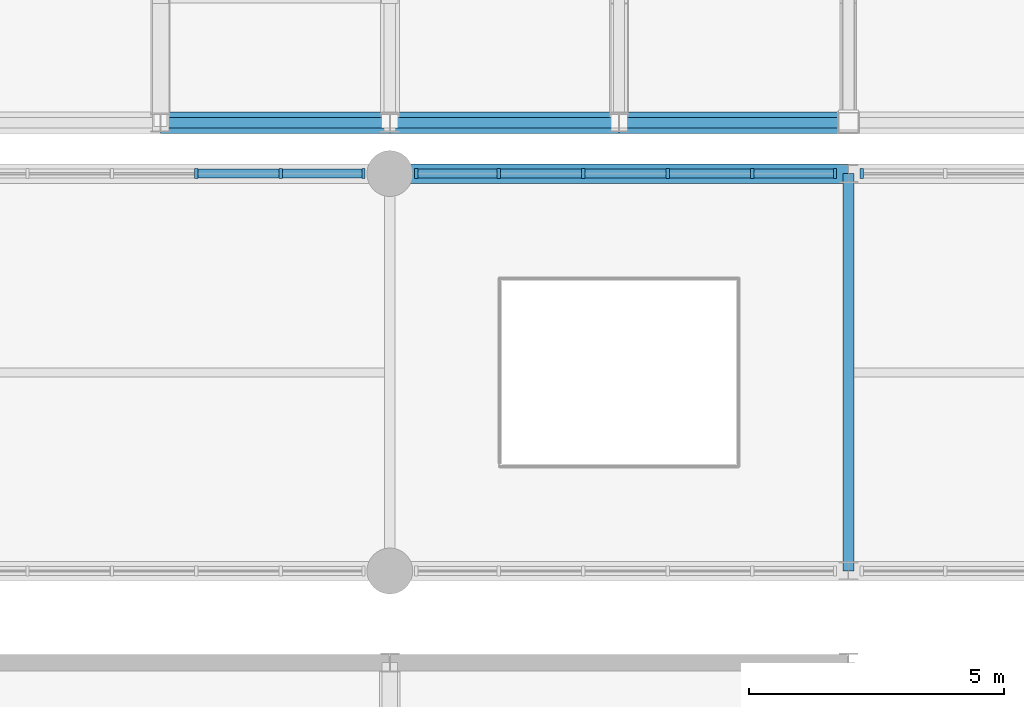
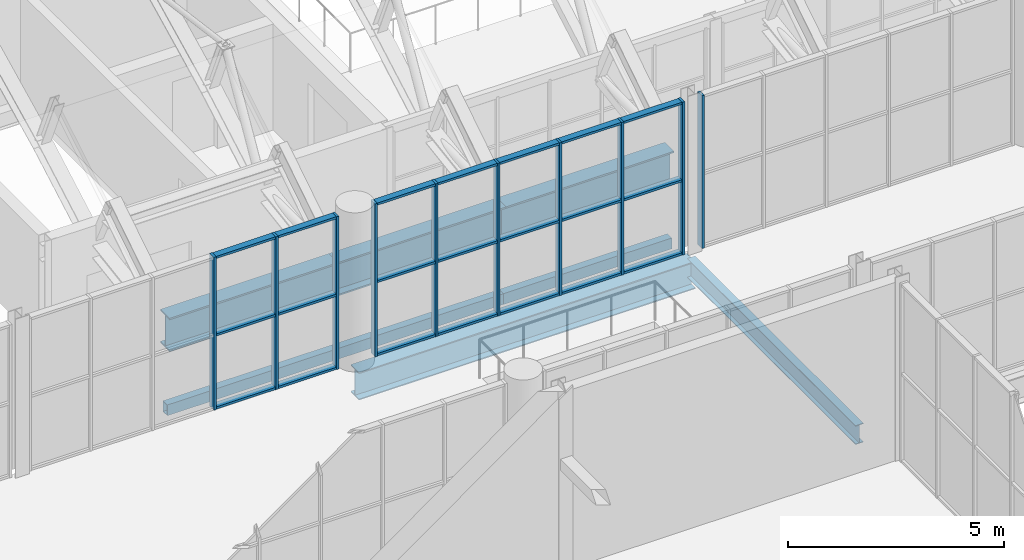
# One storey, part 33 of 134: 31 members, 8 beams, 3 elements without a shape of their own.
"""IFC4 building model written with IfcOpenShell, lengths in metres."""

from ifc_helpers import new_model, si_unit, direction, frame, origin, origin_2d, place, context, subcontext, project, spatial, rectangle, hollow_rectangle, i_section, extrude, material, layer, layer_set, material_profile, profile_set, type_object, element, aggregate, save


model = new_model("IFC4")

# Units and contexts
model_context = context("Model", 3, precision=1e-05, world=origin(), true_north=direction((0.0, 1.0)))
body_context = subcontext(model_context, "Body", "Model", "MODEL_VIEW")
ifc_project = project(units=[si_unit("LENGTHUNIT", "METRE"), si_unit("AREAUNIT", "SQUARE_METRE"), si_unit("VOLUMEUNIT", "CUBIC_METRE"), si_unit("PLANEANGLEUNIT", "RADIAN"), si_unit("MASSUNIT", "GRAM", prefix="KILO")], contexts=[model_context])

# Site, building, storey
site_placement = place(None, origin())
site = spatial("IfcSite", under=ifc_project, at=site_placement, CompositionType="ELEMENT")
building_placement = place(site_placement, origin())
building = spatial("IfcBuilding", under=site, at=building_placement, Name="Cazmaro Siding Exhibition Halls", CompositionType="ELEMENT")
storey_placement = place(building_placement, frame((0.0, 0.0, 12.0)))
storey = spatial("IfcBuildingStorey", under=building, at=storey_placement, Name="L02", CompositionType="ELEMENT", Elevation=12.0)

# Beam
ifc_material_1 = material(Name="Steel ASTM A992 Grade 50", Category="steel")
ifc_material_profile_1 = material_profile(ifc_material_1, i_section(OverallWidth=0.2099609375, OverallDepth=0.535888671875, WebThickness=0.010986328125, FlangeThickness=0.01708984375, at=origin_2d()), Name="W21X68")
ifc_profile_set_1 = profile_set([ifc_material_profile_1], Name="Steel ASTM A992 Grade 50")
beam_type_1 = type_object("IfcBeamType", Name="B-02", PredefinedType="BEAM", material=ifc_profile_set_1)
beam_1_placement = place(storey_placement, frame((63.0, 55.199951171875, -0.488037109375), z_axis=(0.0, 1.0, 0.0), x_axis=(-1.0, 0.0, 0.0)))
element("IfcBeam", 1, at=beam_1_placement, inside=storey, type_object=beam_type_1, Name="Beam B-02 BM-1694", PredefinedType="BEAM", context=body_context, shape_type="SweptSolid", body=[
    extrude(i_section(OverallWidth=0.2099609375, OverallDepth=0.535888671875, WebThickness=0.010986328125, FlangeThickness=0.01708984375, at=origin_2d()), origin(), (0.0, 0.0, 1.0), 7.800048828125),
])

# Curtain wall, members
ifc_material_2 = material(Name="Anodized Bronze Aluminum and Solar-Control Low-E Glazing", Category="aluminium")
ifc_layer = layer(ifc_material_2, 0.199951171875)
ifc_layer_set = layer_set([ifc_layer], Name="Anodized Bronze Aluminum and Solar-Control Low-E Glazing")
curtain_wall_type = type_object("IfcCurtainWallType", Name="CWS-02", PredefinedType="USERDEFINED", material=ifc_layer_set)
curtain_wall_1_placement = place(storey_placement, origin())
curtain_wall_1 = element("IfcCurtainWall", 2, at=curtain_wall_1_placement, inside=storey, type_object=curtain_wall_type, Name="Glazed Curtain Wall CWS-02 CW-149", ObjectType="GLAZED CURTAIN WALL", PredefinedType="USERDEFINED")
ifc_material_3 = material(Name="Anodized Bronze Extruded Aluminum", Category="aluminium")
ifc_material_profile_2 = material_profile(ifc_material_3, rectangle(XDim=0.199951171875, YDim=0.06494140625, at=origin_2d()), Name="CWM-02")
ifc_profile_set_2 = profile_set([ifc_material_profile_2], Name="Anodized Bronze Extruded Aluminum")
member_type_1 = type_object("IfcMemberType", Name="CWM-02", PredefinedType="MULLION", material=ifc_profile_set_2)
member_1_placement = place(storey_placement, frame((53.484619140625, 63.0, 0.0), z_axis=(0.0, 0.0, 1.0), x_axis=(0.0, -1.0, 0.0)))
member_1 = element("IfcMember", 3, at=member_1_placement, type_object=member_type_1, Name="CWS-02 mullion 1", PredefinedType="MULLION", context=body_context, shape_type="SweptSolid", body=[
    extrude(rectangle(XDim=0.199951171875, YDim=0.06494140625, at=origin_2d()), origin(), (0.0, 0.0, 1.0), 4.324951171875),
])
member_2_placement = place(storey_placement, frame((51.859619140625, 63.0, 0.0), z_axis=(0.0, 0.0, 1.0), x_axis=(0.0, -1.0, 0.0)))
member_2 = element("IfcMember", 4, at=member_2_placement, type_object=member_type_1, Name="CWS-02 mullion 2", PredefinedType="MULLION", context=body_context, shape_type="SweptSolid", body=[
    extrude(rectangle(XDim=0.199951171875, YDim=0.06494140625, at=origin_2d()), origin(), (0.0, 0.0, 1.0), 4.324951171875),
])
member_3_placement = place(storey_placement, frame((50.2021484375, 63.0, 0.0), z_axis=(0.0, 0.0, 1.0), x_axis=(0.0, -1.0, 0.0)))
member_3 = element("IfcMember", 5, at=member_3_placement, type_object=member_type_1, Name="CWS-02 mullion 3", PredefinedType="MULLION", context=body_context, shape_type="SweptSolid", body=[
    extrude(rectangle(XDim=0.199951171875, YDim=0.06494140625, at=origin_2d()), origin(), (0.0, 0.0, 1.0), 4.324951171875),
])

curtain_wall_2_placement = place(storey_placement, origin())
curtain_wall_2 = element("IfcCurtainWall", 6, at=curtain_wall_2_placement, inside=storey, type_object=curtain_wall_type, Name="Glazed Curtain Wall CWS-02 CW-154", ObjectType="GLAZED CURTAIN WALL", PredefinedType="USERDEFINED")
member_4_placement = place(storey_placement, frame((62.737548828125, 63.0, 0.0), z_axis=(0.0, 0.0, 1.0), x_axis=(0.0, -1.0, 0.0)))
member_4 = element("IfcMember", 7, at=member_4_placement, type_object=member_type_1, Name="CWS-02 mullion 1", PredefinedType="MULLION", context=body_context, shape_type="SweptSolid", body=[
    extrude(rectangle(XDim=0.199951171875, YDim=0.06494140625, at=origin_2d()), origin(), (0.0, 0.0, 1.0), 4.324951171875),
])
member_5_placement = place(storey_placement, frame((61.112548828125, 63.0, 0.0), z_axis=(0.0, 0.0, 1.0), x_axis=(0.0, -1.0, 0.0)))
member_5 = element("IfcMember", 8, at=member_5_placement, type_object=member_type_1, Name="CWS-02 mullion 2", PredefinedType="MULLION", context=body_context, shape_type="SweptSolid", body=[
    extrude(rectangle(XDim=0.199951171875, YDim=0.06494140625, at=origin_2d()), origin(), (0.0, 0.0, 1.0), 4.324951171875),
])
member_6_placement = place(storey_placement, frame((59.455078125, 63.0, 0.0), z_axis=(0.0, 0.0, 1.0), x_axis=(0.0, -1.0, 0.0)))
member_6 = element("IfcMember", 9, at=member_6_placement, type_object=member_type_1, Name="CWS-02 mullion 3", PredefinedType="MULLION", context=body_context, shape_type="SweptSolid", body=[
    extrude(rectangle(XDim=0.199951171875, YDim=0.06494140625, at=origin_2d()), origin(), (0.0, 0.0, 1.0), 4.324951171875),
])
member_7_placement = place(storey_placement, frame((57.7978515625, 63.0, 0.0), z_axis=(0.0, 0.0, 1.0), x_axis=(0.0, -1.0, 0.0)))
member_7 = element("IfcMember", 10, at=member_7_placement, type_object=member_type_1, Name="CWS-02 mullion 4", PredefinedType="MULLION", context=body_context, shape_type="SweptSolid", body=[
    extrude(rectangle(XDim=0.199951171875, YDim=0.06494140625, at=origin_2d()), origin(), (0.0, 0.0, 1.0), 4.324951171875),
])
member_8_placement = place(storey_placement, frame((56.140380859375, 63.0, 0.0), z_axis=(0.0, 0.0, 1.0), x_axis=(0.0, -1.0, 0.0)))
member_8 = element("IfcMember", 11, at=member_8_placement, type_object=member_type_1, Name="CWS-02 mullion 5", PredefinedType="MULLION", context=body_context, shape_type="SweptSolid", body=[
    extrude(rectangle(XDim=0.199951171875, YDim=0.06494140625, at=origin_2d()), origin(), (0.0, 0.0, 1.0), 4.324951171875),
])
member_9_placement = place(storey_placement, frame((54.515380859375, 63.0, 0.0), z_axis=(0.0, 0.0, 1.0), x_axis=(0.0, -1.0, 0.0)))
member_9 = element("IfcMember", 12, at=member_9_placement, type_object=member_type_1, Name="CWS-02 mullion 6", PredefinedType="MULLION", context=body_context, shape_type="SweptSolid", body=[
    extrude(rectangle(XDim=0.199951171875, YDim=0.06494140625, at=origin_2d()), origin(), (0.0, 0.0, 1.0), 4.324951171875),
])

# Curtain wall, member
curtain_wall_3_placement = place(storey_placement, origin())
curtain_wall_3 = element("IfcCurtainWall", 13, at=curtain_wall_3_placement, inside=storey, type_object=curtain_wall_type, Name="Glazed Curtain Wall CWS-02 CW-160", ObjectType="GLAZED CURTAIN WALL", PredefinedType="USERDEFINED")
member_10_placement = place(storey_placement, frame((63.262451171875, 63.0, 0.0), z_axis=(0.0, 0.0, 1.0), x_axis=(0.0, -1.0, 0.0)))
member_10 = element("IfcMember", 14, at=member_10_placement, type_object=member_type_1, Name="CWS-02 mullion 6", PredefinedType="MULLION", context=body_context, shape_type="SweptSolid", body=[
    extrude(rectangle(XDim=0.199951171875, YDim=0.06494140625, at=origin_2d()), origin(), (0.0, 0.0, 1.0), 4.324951171875),
])
aggregate(curtain_wall_3, [member_10])

# Member
ifc_material_4 = material(Name="Anodized Bronze Extruded Aluminum", Category="aluminium")
ifc_material_profile_3 = material_profile(ifc_material_4, rectangle(XDim=0.179931640625, YDim=0.06494140625, at=origin_2d()), Name="CWT-02")
ifc_profile_set_3 = profile_set([ifc_material_profile_3], Name="Anodized Bronze Extruded Aluminum")
member_type_2 = type_object("IfcMemberType", Name="CWT-02", PredefinedType="MULLION", material=ifc_profile_set_3)
member_11_placement = place(storey_placement, frame((53.451904296875, 63.0, 0.032470703125), z_axis=(-1.0, 0.0, 0.0), x_axis=(0.0, -1.0, 0.0)))
member_11 = element("IfcMember", 15, at=member_11_placement, type_object=member_type_2, Name="CWS-02 transom 1.1", ObjectType="TRANSOM", PredefinedType="USERDEFINED", context=body_context, shape_type="SweptSolid", body=[
    extrude(rectangle(XDim=0.179931640625, YDim=0.06494140625, at=origin_2d()), origin(), (0.0, 0.0, 1.0), 1.559814453125),
])

member_12_placement = place(storey_placement, frame((53.451904296875, 63.0, 2.10009765625), z_axis=(-1.0, 0.0, 0.0), x_axis=(0.0, -1.0, 0.0)))
member_12 = element("IfcMember", 16, at=member_12_placement, type_object=member_type_2, Name="CWS-02 transom 1.2", ObjectType="TRANSOM", PredefinedType="USERDEFINED", context=body_context, shape_type="SweptSolid", body=[
    extrude(rectangle(XDim=0.179931640625, YDim=0.06494140625, at=origin_2d()), origin(), (0.0, 0.0, 1.0), 1.559814453125),
])

member_13_placement = place(storey_placement, frame((53.451904296875, 63.0, 4.29248046875), z_axis=(-1.0, 0.0, 0.0), x_axis=(0.0, -1.0, 0.0)))
member_13 = element("IfcMember", 17, at=member_13_placement, type_object=member_type_2, Name="CWS-02 transom 1.3", ObjectType="TRANSOM", PredefinedType="USERDEFINED", context=body_context, shape_type="SweptSolid", body=[
    extrude(rectangle(XDim=0.179931640625, YDim=0.06494140625, at=origin_2d()), origin(), (0.0, 0.0, 1.0), 1.559814453125),
])

member_14_placement = place(storey_placement, frame((51.8271484375, 63.0, 0.032470703125), z_axis=(-1.0, 0.0, 0.0), x_axis=(0.0, -1.0, 0.0)))
member_14 = element("IfcMember", 18, at=member_14_placement, type_object=member_type_2, Name="CWS-02 transom 2.1", ObjectType="TRANSOM", PredefinedType="USERDEFINED", context=body_context, shape_type="SweptSolid", body=[
    extrude(rectangle(XDim=0.179931640625, YDim=0.06494140625, at=origin_2d()), origin(), (0.0, 0.0, 1.0), 1.592529296875),
])

member_15_placement = place(storey_placement, frame((51.8271484375, 63.0, 2.10009765625), z_axis=(-1.0, 0.0, 0.0), x_axis=(0.0, -1.0, 0.0)))
member_15 = element("IfcMember", 19, at=member_15_placement, type_object=member_type_2, Name="CWS-02 transom 2.2", ObjectType="TRANSOM", PredefinedType="USERDEFINED", context=body_context, shape_type="SweptSolid", body=[
    extrude(rectangle(XDim=0.179931640625, YDim=0.06494140625, at=origin_2d()), origin(), (0.0, 0.0, 1.0), 1.592529296875),
])

member_16_placement = place(storey_placement, frame((51.8271484375, 63.0, 4.29248046875), z_axis=(-1.0, 0.0, 0.0), x_axis=(0.0, -1.0, 0.0)))
member_16 = element("IfcMember", 20, at=member_16_placement, type_object=member_type_2, Name="CWS-02 transom 2.3", ObjectType="TRANSOM", PredefinedType="USERDEFINED", context=body_context, shape_type="SweptSolid", body=[
    extrude(rectangle(XDim=0.179931640625, YDim=0.06494140625, at=origin_2d()), origin(), (0.0, 0.0, 1.0), 1.592529296875),
])

aggregate(curtain_wall_1, [member_1, member_2, member_3, member_11, member_12, member_13, member_14, member_15, member_16])

member_17_placement = place(storey_placement, frame((62.705078125, 63.0, 0.032470703125), z_axis=(-1.0, 0.0, 0.0), x_axis=(0.0, -1.0, 0.0)))
member_17 = element("IfcMember", 21, at=member_17_placement, type_object=member_type_2, Name="CWS-02 transom 1.1", ObjectType="TRANSOM", PredefinedType="USERDEFINED", context=body_context, shape_type="SweptSolid", body=[
    extrude(rectangle(XDim=0.179931640625, YDim=0.06494140625, at=origin_2d()), origin(), (0.0, 0.0, 1.0), 1.56005859375),
])

member_18_placement = place(storey_placement, frame((62.705078125, 63.0, 2.10009765625), z_axis=(-1.0, 0.0, 0.0), x_axis=(0.0, -1.0, 0.0)))
member_18 = element("IfcMember", 22, at=member_18_placement, type_object=member_type_2, Name="CWS-02 transom 1.2", ObjectType="TRANSOM", PredefinedType="USERDEFINED", context=body_context, shape_type="SweptSolid", body=[
    extrude(rectangle(XDim=0.179931640625, YDim=0.06494140625, at=origin_2d()), origin(), (0.0, 0.0, 1.0), 1.56005859375),
])

member_19_placement = place(storey_placement, frame((62.705078125, 63.0, 4.29248046875), z_axis=(-1.0, 0.0, 0.0), x_axis=(0.0, -1.0, 0.0)))
member_19 = element("IfcMember", 23, at=member_19_placement, type_object=member_type_2, Name="CWS-02 transom 1.3", ObjectType="TRANSOM", PredefinedType="USERDEFINED", context=body_context, shape_type="SweptSolid", body=[
    extrude(rectangle(XDim=0.179931640625, YDim=0.06494140625, at=origin_2d()), origin(), (0.0, 0.0, 1.0), 1.56005859375),
])

member_20_placement = place(storey_placement, frame((61.080078125, 63.0, 0.032470703125), z_axis=(-1.0, 0.0, 0.0), x_axis=(0.0, -1.0, 0.0)))
member_20 = element("IfcMember", 24, at=member_20_placement, type_object=member_type_2, Name="CWS-02 transom 2.1", ObjectType="TRANSOM", PredefinedType="USERDEFINED", context=body_context, shape_type="SweptSolid", body=[
    extrude(rectangle(XDim=0.179931640625, YDim=0.06494140625, at=origin_2d()), origin(), (0.0, 0.0, 1.0), 1.59228515625),
])

member_21_placement = place(storey_placement, frame((61.080078125, 63.0, 2.10009765625), z_axis=(-1.0, 0.0, 0.0), x_axis=(0.0, -1.0, 0.0)))
member_21 = element("IfcMember", 25, at=member_21_placement, type_object=member_type_2, Name="CWS-02 transom 2.2", ObjectType="TRANSOM", PredefinedType="USERDEFINED", context=body_context, shape_type="SweptSolid", body=[
    extrude(rectangle(XDim=0.179931640625, YDim=0.06494140625, at=origin_2d()), origin(), (0.0, 0.0, 1.0), 1.59228515625),
])

member_22_placement = place(storey_placement, frame((61.080078125, 63.0, 4.29248046875), z_axis=(-1.0, 0.0, 0.0), x_axis=(0.0, -1.0, 0.0)))
member_22 = element("IfcMember", 26, at=member_22_placement, type_object=member_type_2, Name="CWS-02 transom 2.3", ObjectType="TRANSOM", PredefinedType="USERDEFINED", context=body_context, shape_type="SweptSolid", body=[
    extrude(rectangle(XDim=0.179931640625, YDim=0.06494140625, at=origin_2d()), origin(), (0.0, 0.0, 1.0), 1.59228515625),
])

member_23_placement = place(storey_placement, frame((59.422607421875, 63.0, 0.032470703125), z_axis=(-1.0, 0.0, 0.0), x_axis=(0.0, -1.0, 0.0)))
member_23 = element("IfcMember", 27, at=member_23_placement, type_object=member_type_2, Name="CWS-02 transom 3.1", ObjectType="TRANSOM", PredefinedType="USERDEFINED", context=body_context, shape_type="SweptSolid", body=[
    extrude(rectangle(XDim=0.179931640625, YDim=0.06494140625, at=origin_2d()), origin(), (0.0, 0.0, 1.0), 1.59228515625),
])

member_24_placement = place(storey_placement, frame((59.422607421875, 63.0, 2.10009765625), z_axis=(-1.0, 0.0, 0.0), x_axis=(0.0, -1.0, 0.0)))
member_24 = element("IfcMember", 28, at=member_24_placement, type_object=member_type_2, Name="CWS-02 transom 3.2", ObjectType="TRANSOM", PredefinedType="USERDEFINED", context=body_context, shape_type="SweptSolid", body=[
    extrude(rectangle(XDim=0.179931640625, YDim=0.06494140625, at=origin_2d()), origin(), (0.0, 0.0, 1.0), 1.59228515625),
])

member_25_placement = place(storey_placement, frame((59.422607421875, 63.0, 4.29248046875), z_axis=(-1.0, 0.0, 0.0), x_axis=(0.0, -1.0, 0.0)))
member_25 = element("IfcMember", 29, at=member_25_placement, type_object=member_type_2, Name="CWS-02 transom 3.3", ObjectType="TRANSOM", PredefinedType="USERDEFINED", context=body_context, shape_type="SweptSolid", body=[
    extrude(rectangle(XDim=0.179931640625, YDim=0.06494140625, at=origin_2d()), origin(), (0.0, 0.0, 1.0), 1.59228515625),
])

member_26_placement = place(storey_placement, frame((57.765380859375, 63.0, 0.032470703125), z_axis=(-1.0, 0.0, 0.0), x_axis=(0.0, -1.0, 0.0)))
member_26 = element("IfcMember", 30, at=member_26_placement, type_object=member_type_2, Name="CWS-02 transom 4.1", ObjectType="TRANSOM", PredefinedType="USERDEFINED", context=body_context, shape_type="SweptSolid", body=[
    extrude(rectangle(XDim=0.179931640625, YDim=0.06494140625, at=origin_2d()), origin(), (0.0, 0.0, 1.0), 1.592529296875),
])

member_27_placement = place(storey_placement, frame((57.765380859375, 63.0, 2.10009765625), z_axis=(-1.0, 0.0, 0.0), x_axis=(0.0, -1.0, 0.0)))
member_27 = element("IfcMember", 31, at=member_27_placement, type_object=member_type_2, Name="CWS-02 transom 4.2", ObjectType="TRANSOM", PredefinedType="USERDEFINED", context=body_context, shape_type="SweptSolid", body=[
    extrude(rectangle(XDim=0.179931640625, YDim=0.06494140625, at=origin_2d()), origin(), (0.0, 0.0, 1.0), 1.592529296875),
])

member_28_placement = place(storey_placement, frame((57.765380859375, 63.0, 4.29248046875), z_axis=(-1.0, 0.0, 0.0), x_axis=(0.0, -1.0, 0.0)))
member_28 = element("IfcMember", 32, at=member_28_placement, type_object=member_type_2, Name="CWS-02 transom 4.3", ObjectType="TRANSOM", PredefinedType="USERDEFINED", context=body_context, shape_type="SweptSolid", body=[
    extrude(rectangle(XDim=0.179931640625, YDim=0.06494140625, at=origin_2d()), origin(), (0.0, 0.0, 1.0), 1.592529296875),
])

member_29_placement = place(storey_placement, frame((56.10791015625, 63.0, 0.032470703125), z_axis=(-1.0, 0.0, 0.0), x_axis=(0.0, -1.0, 0.0)))
member_29 = element("IfcMember", 33, at=member_29_placement, type_object=member_type_2, Name="CWS-02 transom 5.1", ObjectType="TRANSOM", PredefinedType="USERDEFINED", context=body_context, shape_type="SweptSolid", body=[
    extrude(rectangle(XDim=0.179931640625, YDim=0.06494140625, at=origin_2d()), origin(), (0.0, 0.0, 1.0), 1.559814453125),
])

member_30_placement = place(storey_placement, frame((56.10791015625, 63.0, 2.10009765625), z_axis=(-1.0, 0.0, 0.0), x_axis=(0.0, -1.0, 0.0)))
member_30 = element("IfcMember", 34, at=member_30_placement, type_object=member_type_2, Name="CWS-02 transom 5.2", ObjectType="TRANSOM", PredefinedType="USERDEFINED", context=body_context, shape_type="SweptSolid", body=[
    extrude(rectangle(XDim=0.179931640625, YDim=0.06494140625, at=origin_2d()), origin(), (0.0, 0.0, 1.0), 1.559814453125),
])

member_31_placement = place(storey_placement, frame((56.10791015625, 63.0, 4.29248046875), z_axis=(-1.0, 0.0, 0.0), x_axis=(0.0, -1.0, 0.0)))
member_31 = element("IfcMember", 35, at=member_31_placement, type_object=member_type_2, Name="CWS-02 transom 5.3", ObjectType="TRANSOM", PredefinedType="USERDEFINED", context=body_context, shape_type="SweptSolid", body=[
    extrude(rectangle(XDim=0.179931640625, YDim=0.06494140625, at=origin_2d()), origin(), (0.0, 0.0, 1.0), 1.559814453125),
])

aggregate(curtain_wall_2, [member_4, member_5, member_6, member_7, member_8, member_9, member_17, member_18, member_19, member_20, member_21, member_22, member_23, member_24, member_25, member_26, member_27, member_28, member_29, member_30, member_31])

# Beams
ifc_material_5 = material(Name="Steel ASTM A992 Grade 50", Category="steel")
ifc_material_profile_4 = material_profile(ifc_material_5, i_section(OverallWidth=0.424072265625, OverallDepth=0.947021484375, WebThickness=0.02392578125, FlangeThickness=0.04296875, at=origin_2d()), Name="W36X302")
ifc_profile_set_4 = profile_set([ifc_material_profile_4], Name="Steel ASTM A992 Grade 50")
beam_type_2 = type_object("IfcBeamType", Name="G-01", PredefinedType="USERDEFINED", material=ifc_profile_set_4)
for number, where, z_axis, x_axis, name in (
    (36, (49.5, 64.0, 1.826904296875), (1.0, 0.0, 0.0), (0.0, 1.0, 0.0), "Beam G-01 BM-0069"),
    (37, (54.0, 64.0, 1.826904296875), (1.0, 0.0, 0.0), (0.0, 1.0, 0.0), "Beam G-01 BM-0075"),
    (38, (58.5, 64.0, 1.826904296875), (1.0, 0.0, 0.0), (0.0, 1.0, 0.0), "Beam G-01 BM-0081"),
):
    element("IfcBeam", number, at=place(storey_placement, frame(where, z_axis=z_axis, x_axis=x_axis)), inside=storey, type_object=beam_type_2, Name=name, ObjectType="GIRDER", PredefinedType="USERDEFINED", context=body_context, shape_type="SweptSolid", body=[
        extrude(i_section(OverallWidth=0.424072265625, OverallDepth=0.947021484375, WebThickness=0.02392578125, FlangeThickness=0.04296875, at=origin_2d()), origin(), (0.0, 0.0, 1.0), 4.5),
    ])
ifc_material_6 = material(Name="Steel ASTM A992 Grade 50", Category="steel")
ifc_material_profile_5 = material_profile(ifc_material_6, i_section(OverallWidth=0.381103515625, OverallDepth=0.779052734375, WebThickness=0.01806640625, FlangeThickness=0.030029296875, at=origin_2d()), Name="W30X191")
ifc_profile_set_5 = profile_set([ifc_material_profile_5], Name="Steel ASTM A992 Grade 50")
beam_type_3 = type_object("IfcBeamType", Name="G-04", PredefinedType="USERDEFINED", material=ifc_profile_set_5)
beam_2_placement = place(storey_placement, frame((54.0, 63.0, -0.610107421875), z_axis=(1.0, 0.0, 0.0), x_axis=(0.0, 1.0, 0.0)))
element("IfcBeam", 39, at=beam_2_placement, inside=storey, type_object=beam_type_3, Name="Beam G-04 BM-1588", ObjectType="GIRDER", PredefinedType="USERDEFINED", context=body_context, shape_type="SweptSolid", body=[
    extrude(i_section(OverallWidth=0.381103515625, OverallDepth=0.779052734375, WebThickness=0.01806640625, FlangeThickness=0.030029296875, at=origin_2d()), origin(), (0.0, 0.0, 1.0), 9.0),
])
ifc_material_7 = material(Name="Steel ASTM A500 Grade C", Category="steel")
ifc_material_profile_6 = material_profile(ifc_material_7, hollow_rectangle(XDim=0.202880859375, YDim=0.304931640625, WallThickness=0.011962890625, at=origin_2d()), Name="HSS12X8X1/2")
ifc_profile_set_6 = profile_set([ifc_material_profile_6], Name="Steel ASTM A500 Grade C")
beam_type_4 = type_object("IfcBeamType", Name="SP-01", PredefinedType="SPANDREL", material=ifc_profile_set_6)
for number, where, z_axis, x_axis, name in (
    (40, (49.5, 64.0, -0.373046875), (1.0, 0.0, 0.0), (0.0, 1.0, 0.0), "Beam SP-01 BM-0068"),
    (41, (54.0, 64.0, -0.373046875), (1.0, 0.0, 0.0), (0.0, 1.0, 0.0), "Beam SP-01 BM-0074"),
    (42, (58.5, 64.0, -0.373046875), (1.0, 0.0, 0.0), (0.0, 1.0, 0.0), "Beam SP-01 BM-0080"),
):
    element("IfcBeam", number, at=place(storey_placement, frame(where, z_axis=z_axis, x_axis=x_axis)), inside=storey, type_object=beam_type_4, Name=name, PredefinedType="SPANDREL", context=body_context, shape_type="SweptSolid", body=[
        extrude(hollow_rectangle(XDim=0.202880859375, YDim=0.304931640625, WallThickness=0.011962890625, at=origin_2d()), origin(), (0.0, 0.0, 1.0), 4.5),
    ])

save(model, "model.ifc")
